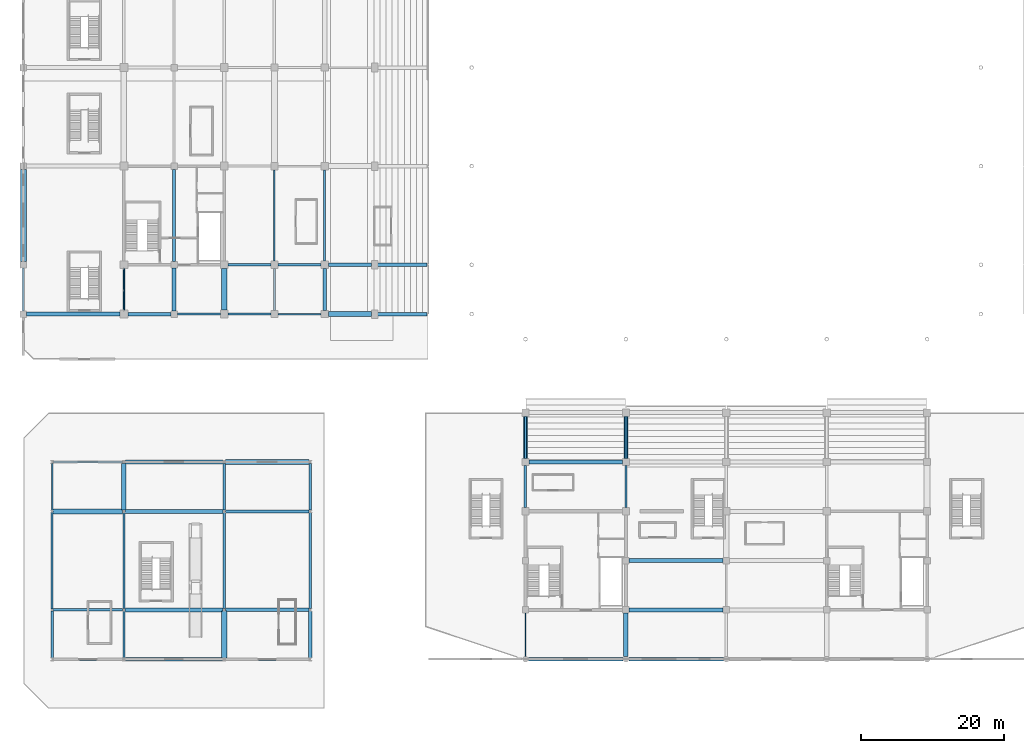
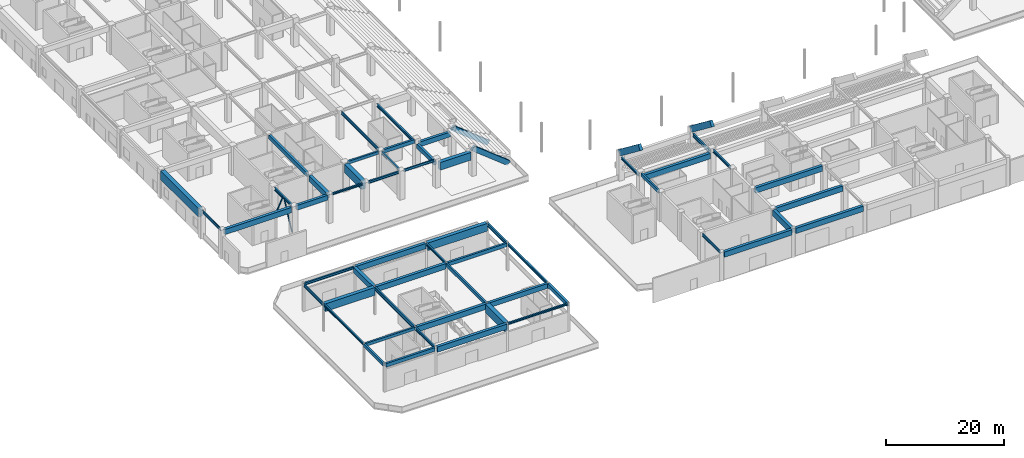
# One storey, part 22 of 73: 58 beams, 2 members.
"""IFC4 building model written with IfcOpenShell, lengths in metres."""

from ifc_helpers import new_model, si_unit, direction, frame, origin, origin_2d, place, context, subcontext, project, spatial, rectangle, hollow_circle, i_section, extrude, material, material_profile, profile_set, type_object, element, save


model = new_model("IFC4")

# Units and contexts
model_context = context("Model", 3, precision=1e-05, world=origin(), true_north=direction((0.0, 1.0)))
body_context = subcontext(model_context, "Body", "Model", "MODEL_VIEW")
ifc_project = project(units=[si_unit("LENGTHUNIT", "METRE"), si_unit("AREAUNIT", "SQUARE_METRE"), si_unit("VOLUMEUNIT", "CUBIC_METRE"), si_unit("PLANEANGLEUNIT", "RADIAN"), si_unit("MASSUNIT", "GRAM", prefix="KILO")], contexts=[model_context])

# Site, building, storey
site_placement = place(None, origin())
site = spatial("IfcSite", under=ifc_project, at=site_placement, CompositionType="ELEMENT")
building_placement = place(site_placement, origin())
building = spatial("IfcBuilding", under=site, at=building_placement, Name="Linyun Crest Stadium", CompositionType="ELEMENT")
storey_placement = place(building_placement, origin())
storey = spatial("IfcBuildingStorey", under=building, at=storey_placement, Name="L01", CompositionType="ELEMENT", Elevation=0.0)

# Beams
ifc_material_1 = material(Name="Concrete C40", Category="concrete")
ifc_material_profile_1 = material_profile(ifc_material_1, rectangle(XDim=0.35009765625, YDim=0.60009765625, at=origin_2d()), Name="RCB 600x350")
ifc_profile_set_1 = profile_set([ifc_material_profile_1], Name="Concrete C40")
beam_type_1 = type_object("IfcBeamType", Name="B01", PredefinedType="BEAM", material=ifc_profile_set_1)
beam_1_placement = place(storey_placement, frame((-69.449951171875, -39.125, 5.47998046875), z_axis=(1.0, 0.0, 0.0), x_axis=(0.0, 1.0, 0.0)))
element("IfcBeam", 1, at=beam_1_placement, inside=storey, type_object=beam_type_1, Name="Frame beam B01 L01 102", PredefinedType="BEAM", context=body_context, shape_type="SweptSolid", body=[
    extrude(rectangle(XDim=0.35009765625, YDim=0.60009765625, at=origin_2d()), origin(), (0.0, 0.0, 1.0), 5.949951171875),
])
beam_2_placement = place(storey_placement, frame((-93.875, -87.25, 5.5), z_axis=(1.0, 0.0, 0.0), x_axis=(0.0, 1.0, 0.0)))
element("IfcBeam", 2, at=beam_2_placement, inside=storey, type_object=beam_type_1, Name="Frame beam B01 L01 1041", PredefinedType="BEAM", context=body_context, shape_type="SweptSolid", body=[
    extrude(rectangle(XDim=0.35009765625, YDim=0.60009765625, at=origin_2d()), origin(), (0.0, 0.0, 1.0), 9.699951171875),
])
ifc_material_2 = material(Name="Concrete C40", Category="concrete")
ifc_material_profile_2 = material_profile(ifc_material_2, rectangle(XDim=0.35009765625, YDim=0.64990234375, at=origin_2d()), Name="RCB 650x350")
ifc_profile_set_2 = profile_set([ifc_material_profile_2], Name="Concrete C40")
beam_type_2 = type_object("IfcBeamType", Name="B02", PredefinedType="BEAM", material=ifc_profile_set_2)
beam_3_placement = place(storey_placement, frame((-28.0, -73.0, 5.455078125), z_axis=(0.0, 1.0, 0.0), x_axis=(-1.0, 0.0, 0.0)))
element("IfcBeam", 3, at=beam_3_placement, inside=storey, type_object=beam_type_2, Name="Frame beam B02 L01 886", PredefinedType="BEAM", context=body_context, shape_type="SweptSolid", body=[
    extrude(rectangle(XDim=0.35009765625, YDim=0.64990234375, at=origin_2d()), origin(), (0.0, 0.0, 1.0), 5.875),
])
beam_4_placement = place(storey_placement, frame((-94.0, -93.925048828125, 5.47509765625), z_axis=(0.0, 1.0, 0.0), x_axis=(-1.0, 0.0, 0.0)))
element("IfcBeam", 4, at=beam_4_placement, inside=storey, type_object=beam_type_2, Name="Frame beam B02 L01 1057", PredefinedType="BEAM", context=body_context, shape_type="SweptSolid", body=[
    extrude(rectangle(XDim=0.35009765625, YDim=0.64990234375, at=origin_2d()), origin(), (0.0, 0.0, 1.0), 6.550048828125),
])
beam_5_placement = place(storey_placement, frame((-70.0, -87.074951171875, 5.47509765625), z_axis=(0.0, 1.0, 0.0), x_axis=(-1.0, 0.0, 0.0)))
element("IfcBeam", 5, at=beam_5_placement, inside=storey, type_object=beam_type_2, Name="Frame beam B02 L01 1064", PredefinedType="BEAM", context=body_context, shape_type="SweptSolid", body=[
    extrude(rectangle(XDim=0.35009765625, YDim=0.64990234375, at=origin_2d()), origin(), (0.0, 0.0, 1.0), 13.39990234375),
])
ifc_material_3 = material(Name="Concrete C40", Category="concrete")
ifc_material_profile_3 = material_profile(ifc_material_3, rectangle(XDim=0.39990234375, YDim=0.75, at=origin_2d()), Name="RCB 750x400")
ifc_profile_set_3 = profile_set([ifc_material_profile_3], Name="Concrete C40")
beam_type_3 = type_object("IfcBeamType", Name="B03", PredefinedType="BEAM", material=ifc_profile_set_3)
beam_6_placement = place(storey_placement, frame((-62.5, -39.125, 5.405029296875), z_axis=(1.0, 0.0, 0.0), x_axis=(0.0, 1.0, 0.0)))
element("IfcBeam", 6, at=beam_6_placement, inside=storey, type_object=beam_type_3, Name="Frame beam B03 L01 103", PredefinedType="BEAM", context=body_context, shape_type="SweptSolid", body=[
    extrude(rectangle(XDim=0.39990234375, YDim=0.75, at=origin_2d()), origin(), (0.0, 0.0, 1.0), 6.0),
])
beam_7_placement = place(storey_placement, frame((-93.800048828125, -94.125, 5.425048828125), z_axis=(1.0, 0.0, 0.0), x_axis=(0.0, 1.0, 0.0)))
element("IfcBeam", 7, at=beam_7_placement, inside=storey, type_object=beam_type_3, Name="Frame beam B03 L01 1035", PredefinedType="BEAM", context=body_context, shape_type="SweptSolid", body=[
    extrude(rectangle(XDim=0.39990234375, YDim=0.75, at=origin_2d()), origin(), (0.0, 0.0, 1.0), 9.60009765625),
])
beam_8_placement = place(storey_placement, frame((-69.824951171875, -73.5, 5.425048828125), z_axis=(1.0, 0.0, 0.0), x_axis=(0.0, 1.0, 0.0)))
element("IfcBeam", 8, at=beam_8_placement, inside=storey, type_object=beam_type_3, Name="Frame beam B03 L01 1049", PredefinedType="BEAM", context=body_context, shape_type="SweptSolid", body=[
    extrude(rectangle(XDim=0.39990234375, YDim=0.75, at=origin_2d()), origin(), (0.0, 0.0, 1.0), 11.64990234375),
])
ifc_material_4 = material(Name="Concrete C40", Category="concrete")
ifc_material_profile_4 = material_profile(ifc_material_4, rectangle(XDim=0.449951171875, YDim=0.85009765625, at=origin_2d()), Name="RCB 850x450")
ifc_profile_set_4 = profile_set([ifc_material_profile_4], Name="Concrete C40")
beam_type_4 = type_object("IfcBeamType", Name="B04", PredefinedType="BEAM", material=ifc_profile_set_4)
beam_9_placement = place(storey_placement, frame((-77.0, -38.675048828125, 5.35498046875), z_axis=(0.0, 1.0, 0.0), x_axis=(-1.0, 0.0, 0.0)))
element("IfcBeam", 9, at=beam_9_placement, inside=storey, type_object=beam_type_4, Name="Frame beam B04 L01 145", PredefinedType="BEAM", context=body_context, shape_type="SweptSolid", body=[
    extrude(rectangle(XDim=0.449951171875, YDim=0.85009765625, at=origin_2d()), origin(), (0.0, 0.0, 1.0), 12.85009765625),
])
beam_10_placement = place(storey_placement, frame((-56.0, -45.5, 4.5048828125), z_axis=(0.0, 1.0, 0.0), x_axis=(-1.0, 0.0, 0.0)))
element("IfcBeam", 10, at=beam_10_placement, inside=storey, type_object=beam_type_4, Name="Frame beam B04 L01 162", PredefinedType="BEAM", context=body_context, shape_type="SweptSolid", body=[
    extrude(rectangle(XDim=0.449951171875, YDim=0.85009765625, at=origin_2d()), origin(), (0.0, 0.0, 1.0), 5.875),
])
beam_11_placement = place(storey_placement, frame((-58.0, -93.925048828125, 5.375), z_axis=(0.0, 1.0, 0.0), x_axis=(-1.0, 0.0, 0.0)))
element("IfcBeam", 11, at=beam_11_placement, inside=storey, type_object=beam_type_4, Name="Frame beam B04 L01 1066", PredefinedType="BEAM", context=body_context, shape_type="SweptSolid", body=[
    extrude(rectangle(XDim=0.449951171875, YDim=0.85009765625, at=origin_2d()), origin(), (0.0, 0.0, 1.0), 6.5),
])
ifc_material_5 = material(Name="Concrete C40", Category="concrete")
ifc_material_profile_5 = material_profile(ifc_material_5, rectangle(XDim=0.5, YDim=1.0, at=origin_2d()), Name="RCB 1000x500")
ifc_profile_set_5 = profile_set([ifc_material_profile_5], Name="Concrete C40")
beam_type_5 = type_object("IfcBeamType", Name="B05", PredefinedType="BEAM", material=ifc_profile_set_5)
beam_12_placement = place(storey_placement, frame((-83.449951171875, -46.0, 5.280029296875), z_axis=(1.0, 0.0, 0.0), x_axis=(0.0, 1.0, 0.0)))
element("IfcBeam", 12, at=beam_12_placement, inside=storey, type_object=beam_type_5, Name="Frame beam B05 L01 97", PredefinedType="BEAM", context=body_context, shape_type="SweptSolid", body=[
    extrude(rectangle(XDim=0.5, YDim=1.0, at=origin_2d()), origin(), (0.0, 0.0, 1.0), 6.0),
])
beam_13_placement = place(storey_placement, frame((-55.5, -39.125, 4.429931640625), z_axis=(1.0, 0.0, 0.0), x_axis=(0.0, 1.0, 0.0)))
element("IfcBeam", 13, at=beam_13_placement, inside=storey, type_object=beam_type_5, Name="Frame beam B05 L01 104", PredefinedType="BEAM", context=body_context, shape_type="SweptSolid", body=[
    extrude(rectangle(XDim=0.5, YDim=1.0, at=origin_2d()), origin(), (0.0, 0.0, 1.0), 6.050048828125),
])
beam_14_placement = place(storey_placement, frame((-69.824951171875, -87.25, 5.300048828125), z_axis=(1.0, 0.0, 0.0), x_axis=(0.0, 1.0, 0.0)))
element("IfcBeam", 14, at=beam_14_placement, inside=storey, type_object=beam_type_5, Name="Frame beam B05 L01 1043", PredefinedType="BEAM", context=body_context, shape_type="SweptSolid", body=[
    extrude(rectangle(XDim=0.5, YDim=1.0, at=origin_2d()), origin(), (0.0, 0.0, 1.0), 11.64990234375),
])
ifc_material_6 = material(Name="Steel Q355C", Category="steel")
ifc_material_profile_6 = material_profile(ifc_material_6, i_section(OverallWidth=0.300048828125, OverallDepth=0.389892578125, WebThickness=0.010009765625, FlangeThickness=0.01611328125, at=origin_2d()), Name="HM 390x300")
ifc_profile_set_6 = profile_set([ifc_material_profile_6], Name="Steel Q355C")
beam_type_6 = type_object("IfcBeamType", Name="B06", PredefinedType="BEAM", material=ifc_profile_set_6)
beam_15_placement = place(storey_placement, frame((-76.550048828125, -46.0, 5.5849609375), z_axis=(1.0, 0.0, 0.0), x_axis=(0.0, 1.0, 0.0)))
element("IfcBeam", 15, at=beam_15_placement, inside=storey, type_object=beam_type_6, Name="Frame beam B06 L01 98", PredefinedType="BEAM", context=body_context, shape_type="SweptSolid", body=[
    extrude(i_section(OverallWidth=0.300048828125, OverallDepth=0.389892578125, WebThickness=0.010009765625, FlangeThickness=0.01611328125, at=origin_2d()), origin(), (0.0, 0.0, 1.0), 6.0),
])
beam_16_placement = place(storey_placement, frame((-69.800048828125, -94.125, 5.60498046875), z_axis=(1.0, 0.0, 0.0), x_axis=(0.0, 1.0, 0.0)))
element("IfcBeam", 16, at=beam_16_placement, inside=storey, type_object=beam_type_6, Name="Frame beam B06 L01 1037", PredefinedType="BEAM", context=body_context, shape_type="SweptSolid", body=[
    extrude(i_section(OverallWidth=0.300048828125, OverallDepth=0.389892578125, WebThickness=0.010009765625, FlangeThickness=0.01611328125, at=origin_2d()), origin(), (0.0, 0.0, 1.0), 11.60009765625),
])
ifc_material_7 = material(Name="Steel Q355C", Category="steel")
ifc_material_profile_7 = material_profile(ifc_material_7, i_section(OverallWidth=0.300048828125, OverallDepth=0.43994140625, WebThickness=0.010986328125, FlangeThickness=0.01806640625, at=origin_2d()), Name="HM 440x300")
ifc_profile_set_7 = profile_set([ifc_material_profile_7], Name="Steel Q355C")
beam_type_7 = type_object("IfcBeamType", Name="B07", PredefinedType="BEAM", material=ifc_profile_set_7)
for number, where, z_axis, x_axis, name in (
    (17, (-63.0, -45.5, 5.56005859375), (0.0, 1.0, 0.0), (-1.0, 0.0, 0.0), "Frame beam B07 L01 155"),
    (18, (-28.0, -66.125, 4.7099609375), (0.0, 1.0, 0.0), (-1.0, 0.0, 0.0), "Frame beam B07 L01 887"),
):
    element("IfcBeam", number, at=place(storey_placement, frame(where, z_axis=z_axis, x_axis=x_axis)), inside=storey, type_object=beam_type_7, Name=name, PredefinedType="BEAM", context=body_context, shape_type="SweptSolid", body=[
        extrude(i_section(OverallWidth=0.300048828125, OverallDepth=0.43994140625, WebThickness=0.010986328125, FlangeThickness=0.01806640625, at=origin_2d()), origin(), (0.0, 0.0, 1.0), 5.875),
    ])
beam_17_placement = place(storey_placement, frame((-94.0, -87.125, 5.580078125), z_axis=(0.0, 1.0, 0.0), x_axis=(-1.0, 0.0, 0.0)))
element("IfcBeam", 19, at=beam_17_placement, inside=storey, type_object=beam_type_7, Name="Frame beam B07 L01 1058", PredefinedType="BEAM", context=body_context, shape_type="SweptSolid", body=[
    extrude(i_section(OverallWidth=0.300048828125, OverallDepth=0.43994140625, WebThickness=0.010986328125, FlangeThickness=0.01806640625, at=origin_2d()), origin(), (0.0, 0.0, 1.0), 13.5),
])
beam_18_placement = place(storey_placement, frame((-70.0, -73.324951171875, 5.580078125), z_axis=(0.0, 1.0, 0.0), x_axis=(-1.0, 0.0, 0.0)))
element("IfcBeam", 20, at=beam_18_placement, inside=storey, type_object=beam_type_7, Name="Frame beam B07 L01 1065", PredefinedType="BEAM", context=body_context, shape_type="SweptSolid", body=[
    extrude(i_section(OverallWidth=0.300048828125, OverallDepth=0.43994140625, WebThickness=0.010986328125, FlangeThickness=0.01806640625, at=origin_2d()), origin(), (0.0, 0.0, 1.0), 6.5),
])
ifc_material_8 = material(Name="Steel Q355C", Category="steel")
ifc_material_profile_8 = material_profile(ifc_material_8, i_section(OverallWidth=0.300048828125, OverallDepth=0.488037109375, WebThickness=0.010986328125, FlangeThickness=0.01806640625, at=origin_2d()), Name="HM 488x300")
ifc_profile_set_8 = profile_set([ifc_material_profile_8], Name="Steel Q355C")
beam_type_8 = type_object("IfcBeamType", Name="B08", PredefinedType="BEAM", material=ifc_profile_set_8)
beam_19_placement = place(storey_placement, frame((-69.449951171875, -46.0, 5.535888671875), z_axis=(1.0, 0.0, 0.0), x_axis=(0.0, 1.0, 0.0)))
element("IfcBeam", 21, at=beam_19_placement, inside=storey, type_object=beam_type_8, Name="Frame beam B08 L01 99", PredefinedType="BEAM", context=body_context, shape_type="SweptSolid", body=[
    extrude(i_section(OverallWidth=0.300048828125, OverallDepth=0.488037109375, WebThickness=0.010986328125, FlangeThickness=0.01806640625, at=origin_2d()), origin(), (0.0, 0.0, 1.0), 5.949951171875),
])
beam_20_placement = place(storey_placement, frame((-93.800048828125, -66.625, 5.555908203125), z_axis=(1.0, 0.0, 0.0), x_axis=(0.0, 1.0, 0.0)))
element("IfcBeam", 22, at=beam_20_placement, inside=storey, type_object=beam_type_8, Name="Frame beam B08 L01 1052", PredefinedType="BEAM", context=body_context, shape_type="SweptSolid", body=[
    extrude(i_section(OverallWidth=0.300048828125, OverallDepth=0.488037109375, WebThickness=0.010986328125, FlangeThickness=0.01806640625, at=origin_2d()), origin(), (0.0, 0.0, 1.0), 9.60009765625),
])
ifc_material_9 = material(Name="Steel Q355C", Category="steel")
ifc_material_profile_9 = material_profile(ifc_material_9, i_section(OverallWidth=0.300048828125, OverallDepth=0.587890625, WebThickness=0.011962890625, FlangeThickness=0.02001953125, at=origin_2d()), Name="HM 588x300")
ifc_profile_set_9 = profile_set([ifc_material_profile_9], Name="Steel Q355C")
beam_type_9 = type_object("IfcBeamType", Name="B09", PredefinedType="BEAM", material=ifc_profile_set_9)
beam_21_placement = place(storey_placement, frame((-84.0, -45.449951171875, 5.486083984375), z_axis=(0.0, 1.0, 0.0), x_axis=(-1.0, 0.0, 0.0)))
element("IfcBeam", 23, at=beam_21_placement, inside=storey, type_object=beam_type_9, Name="Frame beam B09 L01 140", PredefinedType="BEAM", context=body_context, shape_type="SweptSolid", body=[
    extrude(i_section(OverallWidth=0.300048828125, OverallDepth=0.587890625, WebThickness=0.011962890625, FlangeThickness=0.02001953125, at=origin_2d()), origin(), (0.0, 0.0, 1.0), 5.77490234375),
])
beam_22_placement = place(storey_placement, frame((-56.0, -38.625, 4.635986328125), z_axis=(0.0, 1.0, 0.0), x_axis=(-1.0, 0.0, 0.0)))
element("IfcBeam", 24, at=beam_22_placement, inside=storey, type_object=beam_type_9, Name="Frame beam B09 L01 163", PredefinedType="BEAM", context=body_context, shape_type="SweptSolid", body=[
    extrude(i_section(OverallWidth=0.300048828125, OverallDepth=0.587890625, WebThickness=0.011962890625, FlangeThickness=0.02001953125, at=origin_2d()), origin(), (0.0, 0.0, 1.0), 12.75),
])
beam_23_placement = place(storey_placement, frame((-14.0, -73.0, 5.486083984375), z_axis=(0.0, 1.0, 0.0), x_axis=(-1.0, 0.0, 0.0)))
element("IfcBeam", 25, at=beam_23_placement, inside=storey, type_object=beam_type_9, Name="Frame beam B09 L01 889", PredefinedType="BEAM", context=body_context, shape_type="SweptSolid", body=[
    extrude(i_section(OverallWidth=0.300048828125, OverallDepth=0.587890625, WebThickness=0.011962890625, FlangeThickness=0.02001953125, at=origin_2d()), origin(), (0.0, 0.0, 1.0), 5.875),
])
beam_24_placement = place(storey_placement, frame((-84.0, -93.925048828125, 5.506103515625), z_axis=(0.0, 1.0, 0.0), x_axis=(-1.0, 0.0, 0.0)))
element("IfcBeam", 26, at=beam_24_placement, inside=storey, type_object=beam_type_9, Name="Frame beam B09 L01 1060", PredefinedType="BEAM", context=body_context, shape_type="SweptSolid", body=[
    extrude(i_section(OverallWidth=0.300048828125, OverallDepth=0.587890625, WebThickness=0.011962890625, FlangeThickness=0.02001953125, at=origin_2d()), origin(), (0.0, 0.0, 1.0), 6.5),
])
beam_25_placement = place(storey_placement, frame((-58.0, -87.074951171875, 5.506103515625), z_axis=(0.0, 1.0, 0.0), x_axis=(-1.0, 0.0, 0.0)))
element("IfcBeam", 27, at=beam_25_placement, inside=storey, type_object=beam_type_9, Name="Frame beam B09 L01 1067", PredefinedType="BEAM", context=body_context, shape_type="SweptSolid", body=[
    extrude(i_section(OverallWidth=0.300048828125, OverallDepth=0.587890625, WebThickness=0.011962890625, FlangeThickness=0.02001953125, at=origin_2d()), origin(), (0.0, 0.0, 1.0), 13.39990234375),
])
ifc_material_10 = material(Name="Steel Q355C", Category="steel")
ifc_material_profile_10 = material_profile(ifc_material_10, i_section(OverallWidth=0.199951171875, OverallDepth=0.5, WebThickness=0.010009765625, FlangeThickness=0.01611328125, at=origin_2d()), Name="HN 500x200")
ifc_profile_set_10 = profile_set([ifc_material_profile_10], Name="Steel Q355C")
beam_type_10 = type_object("IfcBeamType", Name="B10", PredefinedType="BEAM", material=ifc_profile_set_10)
beam_26_placement = place(storey_placement, frame((-62.5, -46.0, 5.530029296875), z_axis=(1.0, 0.0, 0.0), x_axis=(0.0, 1.0, 0.0)))
element("IfcBeam", 28, at=beam_26_placement, inside=storey, type_object=beam_type_10, Name="Frame beam B10 L01 100", PredefinedType="BEAM", context=body_context, shape_type="SweptSolid", body=[
    extrude(i_section(OverallWidth=0.199951171875, OverallDepth=0.5, WebThickness=0.010009765625, FlangeThickness=0.01611328125, at=origin_2d()), origin(), (0.0, 0.0, 1.0), 6.0),
])
ifc_material_11 = material(Name="Steel Q355C", Category="steel")
ifc_material_profile_11 = material_profile(ifc_material_11, i_section(OverallWidth=0.199951171875, OverallDepth=0.60009765625, WebThickness=0.010986328125, FlangeThickness=0.01708984375, at=origin_2d()), Name="HN 600x200")
ifc_profile_set_11 = profile_set([ifc_material_profile_11], Name="Steel Q355C")
beam_type_11 = type_object("IfcBeamType", Name="B11", PredefinedType="BEAM", material=ifc_profile_set_11)
beam_27_placement = place(storey_placement, frame((-98.0, -45.550048828125, 5.47998046875), z_axis=(0.0, 1.0, 0.0), x_axis=(-1.0, 0.0, 0.0)))
element("IfcBeam", 29, at=beam_27_placement, inside=storey, type_object=beam_type_11, Name="Frame beam B11 L01 133", PredefinedType="BEAM", context=body_context, shape_type="SweptSolid", body=[
    extrude(i_section(OverallWidth=0.199951171875, OverallDepth=0.60009765625, WebThickness=0.010986328125, FlangeThickness=0.01708984375, at=origin_2d()), origin(), (0.0, 0.0, 1.0), 5.97509765625),
])
beam_28_placement = place(storey_placement, frame((-63.0, -38.625, 5.47998046875), z_axis=(0.0, 1.0, 0.0), x_axis=(-1.0, 0.0, 0.0)))
element("IfcBeam", 30, at=beam_28_placement, inside=storey, type_object=beam_type_11, Name="Frame beam B11 L01 156", PredefinedType="BEAM", context=body_context, shape_type="SweptSolid", body=[
    extrude(i_section(OverallWidth=0.199951171875, OverallDepth=0.60009765625, WebThickness=0.010986328125, FlangeThickness=0.01708984375, at=origin_2d()), origin(), (0.0, 0.0, 1.0), 12.75),
])
beam_29_placement = place(storey_placement, frame((-28.0, -93.72509765625, 5.47998046875), z_axis=(0.0, 1.0, 0.0), x_axis=(-1.0, 0.0, 0.0)))
element("IfcBeam", 31, at=beam_29_placement, inside=storey, type_object=beam_type_11, Name="Frame beam B11 L01 885", PredefinedType="BEAM", context=body_context, shape_type="SweptSolid", body=[
    extrude(i_section(OverallWidth=0.199951171875, OverallDepth=0.60009765625, WebThickness=0.010986328125, FlangeThickness=0.01708984375, at=origin_2d()), origin(), (0.0, 0.0, 1.0), 6.025146484375),
])
beam_30_placement = place(storey_placement, frame((-94.0, -73.375, 5.5), z_axis=(0.0, 1.0, 0.0), x_axis=(-1.0, 0.0, 0.0)))
element("IfcBeam", 32, at=beam_30_placement, inside=storey, type_object=beam_type_11, Name="Frame beam B11 L01 1059", PredefinedType="BEAM", context=body_context, shape_type="SweptSolid", body=[
    extrude(i_section(OverallWidth=0.199951171875, OverallDepth=0.60009765625, WebThickness=0.010986328125, FlangeThickness=0.01708984375, at=origin_2d()), origin(), (0.0, 0.0, 1.0), 6.550048828125),
])
ifc_material_12 = material(Name="Steel Q355C", Category="steel")
ifc_material_profile_12 = material_profile(ifc_material_12, i_section(OverallWidth=0.300048828125, OverallDepth=0.699951171875, WebThickness=0.012939453125, FlangeThickness=0.02392578125, at=origin_2d()), Name="HN 700x300")
ifc_profile_set_12 = profile_set([ifc_material_profile_12], Name="Steel Q355C")
beam_type_12 = type_object("IfcBeamType", Name="B12", PredefinedType="BEAM", material=ifc_profile_set_12)
beam_31_placement = place(storey_placement, frame((-14.0, -66.125, 4.580078125), z_axis=(0.0, 1.0, 0.0), x_axis=(-1.0, 0.0, 0.0)))
element("IfcBeam", 33, at=beam_31_placement, inside=storey, type_object=beam_type_12, Name="Frame beam B12 L01 890", PredefinedType="BEAM", context=body_context, shape_type="SweptSolid", body=[
    extrude(i_section(OverallWidth=0.300048828125, OverallDepth=0.699951171875, WebThickness=0.012939453125, FlangeThickness=0.02392578125, at=origin_2d()), origin(), (0.0, 0.0, 1.0), 5.875),
])
beam_32_placement = place(storey_placement, frame((-84.0, -87.074951171875, 5.449951171875), z_axis=(0.0, 1.0, 0.0), x_axis=(-1.0, 0.0, 0.0)))
element("IfcBeam", 34, at=beam_32_placement, inside=storey, type_object=beam_type_12, Name="Frame beam B12 L01 1061", PredefinedType="BEAM", context=body_context, shape_type="SweptSolid", body=[
    extrude(i_section(OverallWidth=0.300048828125, OverallDepth=0.699951171875, WebThickness=0.012939453125, FlangeThickness=0.02392578125, at=origin_2d()), origin(), (0.0, 0.0, 1.0), 13.39990234375),
])
beam_33_placement = place(storey_placement, frame((-58.0, -73.324951171875, 5.449951171875), z_axis=(0.0, 1.0, 0.0), x_axis=(-1.0, 0.0, 0.0)))
element("IfcBeam", 35, at=beam_33_placement, inside=storey, type_object=beam_type_12, Name="Frame beam B12 L01 1068", PredefinedType="BEAM", context=body_context, shape_type="SweptSolid", body=[
    extrude(i_section(OverallWidth=0.300048828125, OverallDepth=0.699951171875, WebThickness=0.012939453125, FlangeThickness=0.02392578125, at=origin_2d()), origin(), (0.0, 0.0, 1.0), 6.5),
])
ifc_material_13 = material(Name="Concrete C50", Category="concrete")
ifc_material_profile_13 = material_profile(ifc_material_13, rectangle(XDim=0.699951171875, YDim=1.60009765625, at=origin_2d()), Name="RCB 1600x700")
ifc_profile_set_13 = profile_set([ifc_material_profile_13], Name="Concrete C50")
beam_type_13 = type_object("IfcBeamType", Name="B13", PredefinedType="BEAM", material=ifc_profile_set_13)
beam_34_placement = place(storey_placement, frame((-55.5, -46.0, 4.1298828125), z_axis=(1.0, 0.0, 0.0), x_axis=(0.0, 1.0, 0.0)))
element("IfcBeam", 36, at=beam_34_placement, inside=storey, type_object=beam_type_13, Name="Frame beam B13 L01 101", PredefinedType="BEAM", context=body_context, shape_type="SweptSolid", body=[
    extrude(rectangle(XDim=0.699951171875, YDim=1.60009765625, at=origin_2d()), origin(), (0.0, 0.0, 1.0), 6.050048828125),
])
beam_35_placement = place(storey_placement, frame((-93.875, -73.5, 5.0), z_axis=(1.0, 0.0, 0.0), x_axis=(0.0, 1.0, 0.0)))
element("IfcBeam", 37, at=beam_35_placement, inside=storey, type_object=beam_type_13, Name="Frame beam B13 L01 1047", PredefinedType="BEAM", context=body_context, shape_type="SweptSolid", body=[
    extrude(rectangle(XDim=0.699951171875, YDim=1.60009765625, at=origin_2d()), origin(), (0.0, 0.0, 1.0), 9.699951171875),
])
beam_36_placement = place(storey_placement, frame((-69.800048828125, -66.625, 5.0), z_axis=(1.0, 0.0, 0.0), x_axis=(0.0, 1.0, 0.0)))
element("IfcBeam", 38, at=beam_36_placement, inside=storey, type_object=beam_type_13, Name="Frame beam B13 L01 1054", PredefinedType="BEAM", context=body_context, shape_type="SweptSolid", body=[
    extrude(rectangle(XDim=0.699951171875, YDim=1.60009765625, at=origin_2d()), origin(), (0.0, 0.0, 1.0), 11.60009765625),
])
ifc_material_14 = material(Name="Concrete C50", Category="concrete")
ifc_material_profile_14 = material_profile(ifc_material_14, rectangle(XDim=0.800048828125, YDim=1.800048828125, at=origin_2d()), Name="RCB 1800x800")
ifc_profile_set_14 = profile_set([ifc_material_profile_14], Name="Concrete C50")
beam_type_14 = type_object("IfcBeamType", Name="B14", PredefinedType="BEAM", material=ifc_profile_set_14)
beam_37_placement = place(storey_placement, frame((-98.0, -38.675048828125, 4.8798828125), z_axis=(0.0, 1.0, 0.0), x_axis=(-1.0, 0.0, 0.0)))
element("IfcBeam", 39, at=beam_37_placement, inside=storey, type_object=beam_type_14, Name="Frame beam B14 L01 134", PredefinedType="BEAM", context=body_context, shape_type="SweptSolid", body=[
    extrude(rectangle(XDim=0.800048828125, YDim=1.800048828125, at=origin_2d()), origin(), (0.0, 0.0, 1.0), 12.85009765625),
])
beam_38_placement = place(storey_placement, frame((-70.0, -45.449951171875, 4.8798828125), z_axis=(0.0, 1.0, 0.0), x_axis=(-1.0, 0.0, 0.0)))
element("IfcBeam", 40, at=beam_38_placement, inside=storey, type_object=beam_type_14, Name="Frame beam B14 L01 151", PredefinedType="BEAM", context=body_context, shape_type="SweptSolid", body=[
    extrude(rectangle(XDim=0.800048828125, YDim=1.800048828125, at=origin_2d()), origin(), (0.0, 0.0, 1.0), 5.77490234375),
])
beam_39_placement = place(storey_placement, frame((-70.0, -93.925048828125, 4.89990234375), z_axis=(0.0, 1.0, 0.0), x_axis=(-1.0, 0.0, 0.0)))
element("IfcBeam", 41, at=beam_39_placement, inside=storey, type_object=beam_type_14, Name="Frame beam B14 L01 1063", PredefinedType="BEAM", context=body_context, shape_type="SweptSolid", body=[
    extrude(rectangle(XDim=0.800048828125, YDim=1.800048828125, at=origin_2d()), origin(), (0.0, 0.0, 1.0), 6.5),
])

# Members
ifc_material_15 = material(Name="Steel Q355C", Category="steel")
ifc_material_profile_15 = material_profile(ifc_material_15, hollow_circle(Radius=0.083984375, WallThickness=0.010009765625, at=origin_2d()), Name="CHS 168x10")
ifc_profile_set_15 = profile_set([ifc_material_profile_15], Name="Steel Q355C")
member_type = type_object("IfcMemberType", Name="BR01", PredefinedType="BRACE", material=ifc_profile_set_15)
member_1_placement = place(storey_placement, frame((-84.0, -45.449951171875, 0.0), z_axis=(0.0, 0.44599280091, 0.895036547598), x_axis=(-1.0, 0.0, 0.0)))
element("IfcMember", 42, at=member_1_placement, inside=storey, type_object=member_type, Name="Frame brace BR01 L01 1", PredefinedType="BRACE", context=body_context, shape_type="SweptSolid", body=[
    extrude(hollow_circle(Radius=0.083984375, WallThickness=0.010009765625, at=origin_2d()), origin(), (0.0, 0.0, 1.0), 6.16162109375),
])
member_2_placement = place(storey_placement, frame((-84.0, -39.675048828125, 0.0), z_axis=(0.0, -0.445865822075, 0.895099809354), x_axis=(1.0, 0.0, 0.0)))
element("IfcMember", 43, at=member_2_placement, inside=storey, type_object=member_type, Name="Frame brace BR01 L01 2", PredefinedType="BRACE", context=body_context, shape_type="SweptSolid", body=[
    extrude(hollow_circle(Radius=0.083984375, WallThickness=0.010009765625, at=origin_2d()), origin(), (0.0, 0.0, 1.0), 6.1611328125),
])

# Beams
ifc_material_16 = material(Name="Precast concrete C50", Category="concrete")
ifc_material_profile_16 = material_profile(ifc_material_16, rectangle(XDim=0.5, YDim=0.949951171875, at=origin_2d()), Name="PCR 950x500")
ifc_profile_set_16 = profile_set([ifc_material_profile_16], Name="Precast concrete C50")
beam_type_15 = type_object("IfcBeamType", Name="RB01", PredefinedType="USERDEFINED", material=ifc_profile_set_16)
for number, where, z_axis, x_axis, name in (
    (44, (-42.0, -46.0, 0.0), (-0.785226144733, 0.0, 0.619209093625), (0.0, -1.0, 0.0), "Precast raker beam RB01 V1 1"),
    (45, (-42.0, -39.125, 0.0), (-0.785226144733, 0.0, 0.619209093625), (0.0, -1.0, 0.0), "Precast raker beam RB01 V1 9"),
):
    element("IfcBeam", number, at=place(storey_placement, frame(where, z_axis=z_axis, x_axis=x_axis)), inside=storey, type_object=beam_type_15, Name=name, ObjectType="RAKER", PredefinedType="USERDEFINED", context=body_context, shape_type="SweptSolid", body=[
        extrude(rectangle(XDim=0.5, YDim=0.949951171875, at=origin_2d()), origin(), (0.0, 0.0, 1.0), 8.91455078125),
    ])
ifc_material_17 = material(Name="Precast concrete C50", Category="concrete")
ifc_material_profile_17 = material_profile(ifc_material_17, rectangle(XDim=0.550048828125, YDim=1.14990234375, at=origin_2d()), Name="PCR 1150x550")
ifc_profile_set_17 = profile_set([ifc_material_profile_17], Name="Precast concrete C50")
beam_type_16 = type_object("IfcBeamType", Name="RB02", PredefinedType="USERDEFINED", material=ifc_profile_set_17)
for number, where, z_axis, x_axis, name in (
    (46, (-28.0, -59.75, 5.52001953125), (0.0, -0.793093848902, 0.609099455618), (1.0, 0.0, 0.0), "Precast raker beam RB02 V4 69"),
    (47, (-14.0, -59.75, 5.52001953125), (0.0, -0.793093848902, 0.609099455618), (1.0, 0.0, 0.0), "Precast raker beam RB02 V4 75"),
):
    element("IfcBeam", number, at=place(storey_placement, frame(where, z_axis=z_axis, x_axis=x_axis)), inside=storey, type_object=beam_type_16, Name=name, ObjectType="RAKER", PredefinedType="USERDEFINED", context=body_context, shape_type="SweptSolid", body=[
        extrude(rectangle(XDim=0.550048828125, YDim=1.14990234375, at=origin_2d()), origin(), (0.0, 0.0, 1.0), 8.668701171875),
    ])
ifc_material_18 = material(Name="Concrete C50", Category="concrete")
ifc_material_profile_18 = material_profile(ifc_material_18, rectangle(XDim=0.550048828125, YDim=1.10009765625, at=origin_2d()), Name="RCB 1100x550")
ifc_profile_set_18 = profile_set([ifc_material_profile_18], Name="Concrete C50")
beam_type_17 = type_object("IfcBeamType", Name="TB01", PredefinedType="USERDEFINED", material=ifc_profile_set_18)
beam_40_placement = place(storey_placement, frame((-97.550048828125, -46.0, 5.22998046875), z_axis=(1.0, 0.0, 0.0), x_axis=(0.0, 1.0, 0.0)))
element("IfcBeam", 48, at=beam_40_placement, inside=storey, type_object=beam_type_17, Name="Frame beam TB01 L01 96", ObjectType="GIRDER", PredefinedType="USERDEFINED", context=body_context, shape_type="SweptSolid", body=[
    extrude(rectangle(XDim=0.550048828125, YDim=1.10009765625, at=origin_2d()), origin(), (0.0, 0.0, 1.0), 13.0),
])
for number, where, z_axis, x_axis, name in (
    (49, (-27.60009765625, -94.125, 5.22998046875), (1.0, 0.0, 0.0), (0.0, 1.0, 0.0), "Frame beam TB01 L01 868"),
    (50, (-13.60009765625, -94.125, 5.22998046875), (1.0, 0.0, 0.0), (0.0, 1.0, 0.0), "Frame beam TB01 L01 869"),
):
    element("IfcBeam", number, at=place(storey_placement, frame(where, z_axis=z_axis, x_axis=x_axis)), inside=storey, type_object=beam_type_17, Name=name, ObjectType="GIRDER", PredefinedType="USERDEFINED", context=body_context, shape_type="SweptSolid", body=[
        extrude(rectangle(XDim=0.550048828125, YDim=1.10009765625, at=origin_2d()), origin(), (0.0, 0.0, 1.0), 13.2001953125),
    ])
for number, where, z_axis, x_axis, name in (
    (51, (-13.550048828125, -87.25, 5.22998046875), (1.0, 0.0, 0.0), (0.0, 1.0, 0.0), "Frame beam TB01 L01 872"),
    (52, (-13.550048828125, -80.375, 5.22998046875), (1.0, 0.0, 0.0), (0.0, 1.0, 0.0), "Frame beam TB01 L01 874"),
):
    element("IfcBeam", number, at=place(storey_placement, frame(where, z_axis=z_axis, x_axis=x_axis)), inside=storey, type_object=beam_type_17, Name=name, ObjectType="GIRDER", PredefinedType="USERDEFINED", context=body_context, shape_type="SweptSolid", body=[
        extrude(rectangle(XDim=0.550048828125, YDim=1.10009765625, at=origin_2d()), origin(), (0.0, 0.0, 1.0), 13.10009765625),
    ])
beam_41_placement = place(storey_placement, frame((-27.5, -66.625, 4.3798828125), z_axis=(1.0, 0.0, 0.0), x_axis=(0.0, 1.0, 0.0)))
element("IfcBeam", 53, at=beam_41_placement, inside=storey, type_object=beam_type_17, Name="Frame beam TB01 L01 877", ObjectType="GIRDER", PredefinedType="USERDEFINED", context=body_context, shape_type="SweptSolid", body=[
    extrude(rectangle(XDim=0.550048828125, YDim=1.10009765625, at=origin_2d()), origin(), (0.0, 0.0, 1.0), 13.0),
])
beam_42_placement = place(storey_placement, frame((-83.800048828125, -94.125, 5.25), z_axis=(1.0, 0.0, 0.0), x_axis=(0.0, 1.0, 0.0)))
element("IfcBeam", 54, at=beam_42_placement, inside=storey, type_object=beam_type_17, Name="Frame beam TB01 L01 1036", ObjectType="GIRDER", PredefinedType="USERDEFINED", context=body_context, shape_type="SweptSolid", body=[
    extrude(rectangle(XDim=0.550048828125, YDim=1.10009765625, at=origin_2d()), origin(), (0.0, 0.0, 1.0), 13.60009765625),
])
for number, where, z_axis, x_axis, name in (
    (55, (-83.824951171875, -87.25, 5.25), (1.0, 0.0, 0.0), (0.0, 1.0, 0.0), "Frame beam TB01 L01 1042"),
    (56, (-83.824951171875, -73.5, 5.25), (1.0, 0.0, 0.0), (0.0, 1.0, 0.0), "Frame beam TB01 L01 1048"),
):
    element("IfcBeam", number, at=place(storey_placement, frame(where, z_axis=z_axis, x_axis=x_axis)), inside=storey, type_object=beam_type_17, Name=name, ObjectType="GIRDER", PredefinedType="USERDEFINED", context=body_context, shape_type="SweptSolid", body=[
        extrude(rectangle(XDim=0.550048828125, YDim=1.10009765625, at=origin_2d()), origin(), (0.0, 0.0, 1.0), 13.64990234375),
    ])
beam_43_placement = place(storey_placement, frame((-83.800048828125, -66.625, 5.25), z_axis=(1.0, 0.0, 0.0), x_axis=(0.0, 1.0, 0.0)))
element("IfcBeam", 57, at=beam_43_placement, inside=storey, type_object=beam_type_17, Name="Frame beam TB01 L01 1053", ObjectType="GIRDER", PredefinedType="USERDEFINED", context=body_context, shape_type="SweptSolid", body=[
    extrude(rectangle(XDim=0.550048828125, YDim=1.10009765625, at=origin_2d()), origin(), (0.0, 0.0, 1.0), 13.60009765625),
])
ifc_material_19 = material(Name="Concrete C50", Category="concrete")
ifc_material_profile_19 = material_profile(ifc_material_19, rectangle(XDim=0.60009765625, YDim=1.199951171875, at=origin_2d()), Name="RCB 1200x600")
ifc_profile_set_19 = profile_set([ifc_material_profile_19], Name="Concrete C50")
beam_type_18 = type_object("IfcBeamType", Name="TB02", PredefinedType="USERDEFINED", material=ifc_profile_set_19)
beam_44_placement = place(storey_placement, frame((-77.0, -45.550048828125, 5.179931640625), z_axis=(0.0, 1.0, 0.0), x_axis=(-1.0, 0.0, 0.0)))
element("IfcBeam", 58, at=beam_44_placement, inside=storey, type_object=beam_type_18, Name="Frame beam TB02 L01 144", ObjectType="GIRDER", PredefinedType="USERDEFINED", context=body_context, shape_type="SweptSolid", body=[
    extrude(rectangle(XDim=0.60009765625, YDim=1.199951171875, at=origin_2d()), origin(), (0.0, 0.0, 1.0), 5.97509765625),
])
beam_45_placement = place(storey_placement, frame((-14.0, -93.72509765625, 5.179931640625), z_axis=(0.0, 1.0, 0.0), x_axis=(-1.0, 0.0, 0.0)))
element("IfcBeam", 59, at=beam_45_placement, inside=storey, type_object=beam_type_18, Name="Frame beam TB02 L01 888", ObjectType="GIRDER", PredefinedType="USERDEFINED", context=body_context, shape_type="SweptSolid", body=[
    extrude(rectangle(XDim=0.60009765625, YDim=1.199951171875, at=origin_2d()), origin(), (0.0, 0.0, 1.0), 6.025146484375),
])
beam_46_placement = place(storey_placement, frame((-84.0, -73.324951171875, 5.199951171875), z_axis=(0.0, 1.0, 0.0), x_axis=(-1.0, 0.0, 0.0)))
element("IfcBeam", 60, at=beam_46_placement, inside=storey, type_object=beam_type_18, Name="Frame beam TB02 L01 1062", ObjectType="GIRDER", PredefinedType="USERDEFINED", context=body_context, shape_type="SweptSolid", body=[
    extrude(rectangle(XDim=0.60009765625, YDim=1.199951171875, at=origin_2d()), origin(), (0.0, 0.0, 1.0), 6.5),
])

save(model, "model.ifc")
